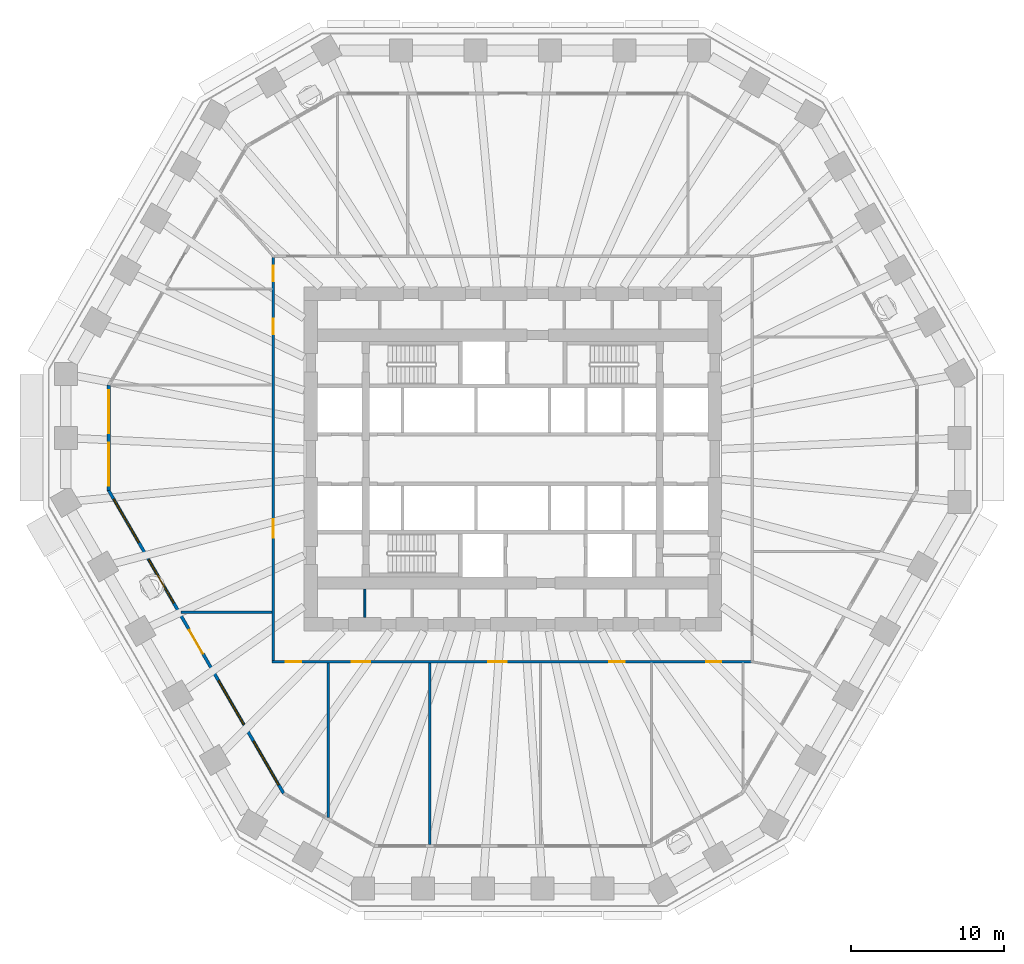
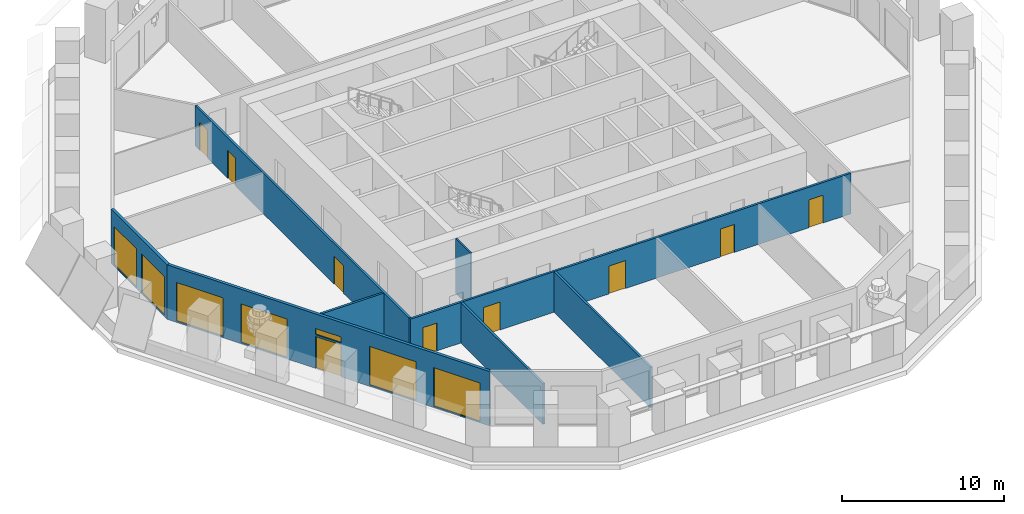
# One storey, part 3 of 12: 9 doors, 8 walls, 7 windows, 16 openings.
"""IFC4 building model written with IfcOpenShell, lengths in metres."""

from ifc_helpers import new_model, si_unit, direction, frame, frame_2d, origin, place, context, subcontext, project, spatial, polyline, rectangle, outline, extrude, material, layer, layer_set, type_object, element, fill, save


model = new_model("IFC4")

# Units and contexts
model_context = context("Model", 3, precision=1e-05, world=origin(), true_north=direction((0.0, 1.0)))
body_context = subcontext(model_context, "Body", "Model", "MODEL_VIEW")
ifc_project = project(units=[si_unit("LENGTHUNIT", "METRE"), si_unit("AREAUNIT", "SQUARE_METRE"), si_unit("VOLUMEUNIT", "CUBIC_METRE"), si_unit("PLANEANGLEUNIT", "RADIAN"), si_unit("MASSUNIT", "GRAM", prefix="KILO")], contexts=[model_context])

# Site, building, storey
site_placement = place(None, origin())
site = spatial("IfcSite", under=ifc_project, at=site_placement, CompositionType="ELEMENT")
building_placement = place(site_placement, origin())
building = spatial("IfcBuilding", under=site, at=building_placement, Name="Frailejon Research Tower", CompositionType="ELEMENT")
storey_placement = place(building_placement, frame((0.0, 0.0, 63.0)))
storey = spatial("IfcBuildingStorey", under=building, at=storey_placement, Name="L14", CompositionType="ELEMENT", Elevation=63.0)

# Wall
ifc_material_1 = material(Name="Plasterboard on steel studs", Category="steel")
ifc_layer_1 = layer(ifc_material_1, 0.125)
ifc_layer_set_1 = layer_set([ifc_layer_1], Name="Core partition 125")
wall_type_1 = type_object("IfcWallType", Name="Core partition 125", PredefinedType="PARTITIONING", material=ifc_layer_set_1)
wall_1_placement = place(storey_placement, frame((-9.66552734375, -10.35009765625, 0.0), z_axis=(0.0, 0.0, 1.0), x_axis=(0.0, 1.0, 0.0)))
element("IfcWall", 1, at=wall_1_placement, inside=storey, type_object=wall_type_1, Name="Core partition", PredefinedType="PARTITIONING", context=body_context, shape_type="SweptSolid", body=[
    extrude(rectangle(XDim=1.85009765625, YDim=0.125, at=frame_2d((0.925048828125, 0.0))), origin(), (0.0, 0.0, 1.0), 4.10009765625),
])

# Wall, openings, doors
ifc_material_2 = material(Name="Gypsum board and masonry partition", Category="masonry")
ifc_layer_2 = layer(ifc_material_2, 0.14990234375)
ifc_layer_set_2 = layer_set([ifc_layer_2], Name="Corridor wall EI 60, gypsum on steel studs 150")
wall_type_2 = type_object("IfcWallType", Name="Corridor wall EI 60, gypsum on steel studs 150", PredefinedType="PARTITIONING", material=ifc_layer_set_2)
wall_2_placement = place(storey_placement, frame((-15.64990234375, -13.175048828125, 0.0), z_axis=(0.0, 0.0, 1.0), x_axis=(0.0, 1.0, 0.0)))
wall_2 = element("IfcWall", 2, at=wall_2_placement, inside=storey, type_object=wall_type_2, Name="T:IW:L14:003", PredefinedType="PARTITIONING", context=body_context, shape_type="SweptSolid", body=[
    extrude(rectangle(XDim=26.35009765625, YDim=0.14990234375, at=frame_2d((13.175048828125, 0.0))), origin(), (0.0, 0.0, 1.0), 3.050048828125),
])
opening_1_placement = place(wall_2_placement, frame((24.797119140625, 0.0, 0.0)))
opening_1 = element("IfcOpeningElement", 3, at=opening_1_placement, cuts=wall_2, Name="Opening D1457", PredefinedType="OPENING", context=body_context, shape_type="SweptSolid", body=[
    extrude(rectangle(XDim=1.0, YDim=2.10009765625, at=frame_2d((0.5, 1.050048828125))), frame((0.0, 0.0849609375, 0.0), z_axis=(0.0, -1.0, 0.0), x_axis=(1.0, 0.0, 0.0)), (0.0, 0.0, 1.0), 0.169921875),
])
opening_2_placement = place(wall_2_placement, frame((21.345947265625, 0.0, 0.0)))
opening_2 = element("IfcOpeningElement", 4, at=opening_2_placement, cuts=wall_2, Name="Opening D1458", PredefinedType="OPENING", context=body_context, shape_type="SweptSolid", body=[
    extrude(rectangle(XDim=1.0, YDim=2.10009765625, at=frame_2d((0.5, 1.050048828125))), frame((0.0, 0.0849609375, 0.0), z_axis=(0.0, -1.0, 0.0), x_axis=(1.0, 0.0, 0.0)), (0.0, 0.0, 1.0), 0.169921875),
])
opening_3_placement = place(wall_2_placement, frame((8.0458984375, 0.0, 0.0)))
opening_3 = element("IfcOpeningElement", 5, at=opening_3_placement, cuts=wall_2, Name="Opening D1459", PredefinedType="OPENING", context=body_context, shape_type="SweptSolid", body=[
    extrude(rectangle(XDim=1.199951171875, YDim=2.10009765625, at=frame_2d((0.60009765625, 1.050048828125))), frame((0.0, 0.0849609375, 0.0), z_axis=(0.0, -1.0, 0.0), x_axis=(1.0, 0.0, 0.0)), (0.0, 0.0, 1.0), 0.169921875),
])
ifc_material_3 = material(Name="Timber door leaf", Category="wood")
door_type_1 = type_object("IfcDoorType", Name="Door laboratory, timber, vision panel 1200", OperationType="NOTDEFINED", PredefinedType="DOOR", material=ifc_material_3)
door_1_placement = place(opening_3_placement, origin())
door_1 = element("IfcDoor", 6, at=door_1_placement, inside=storey, type_object=door_type_1, Name="D1459", OperationType="DOUBLE_DOOR_SINGLE_SWING", OverallHeight=2.10009765625, OverallWidth=1.199951171875, PredefinedType="DOOR", context=body_context, shape_type="SweptSolid", body=[
    extrude(rectangle(XDim=1.199951171875, YDim=2.10009765625, at=frame_2d((0.60009765625, 1.050048828125))), frame((0.0, 0.02490234375, 0.0), z_axis=(0.0, -1.0, 0.0), x_axis=(1.0, 0.0, 0.0)), (0.0, 0.0, 1.0), 0.050048828125),
])
fill(opening_3, door_1)
ifc_material_4 = material(Name="Timber door leaf", Category="wood")
door_type_2 = type_object("IfcDoorType", Name="Door single leaf, timber, steel frame 1000", OperationType="NOTDEFINED", PredefinedType="DOOR", material=ifc_material_4)
door_2_placement = place(opening_1_placement, origin())
door_2 = element("IfcDoor", 7, at=door_2_placement, inside=storey, type_object=door_type_2, Name="D1457", OperationType="SINGLE_SWING_RIGHT", OverallHeight=2.10009765625, OverallWidth=1.0, PredefinedType="DOOR", context=body_context, shape_type="SweptSolid", body=[
    extrude(rectangle(XDim=1.0, YDim=2.10009765625, at=frame_2d((0.5, 1.050048828125))), frame((0.0, 0.02490234375, 0.0), z_axis=(0.0, -1.0, 0.0), x_axis=(1.0, 0.0, 0.0)), (0.0, 0.0, 1.0), 0.050048828125),
])
fill(opening_1, door_2)
door_3_placement = place(opening_2_placement, origin())
door_3 = element("IfcDoor", 8, at=door_3_placement, inside=storey, type_object=door_type_2, Name="D1458", OperationType="SINGLE_SWING_LEFT", OverallHeight=2.10009765625, OverallWidth=1.0, PredefinedType="DOOR", context=body_context, shape_type="SweptSolid", body=[
    extrude(rectangle(XDim=1.0, YDim=2.10009765625, at=frame_2d((0.5, 1.050048828125))), frame((0.0, 0.02490234375, 0.0), z_axis=(0.0, -1.0, 0.0), x_axis=(1.0, 0.0, 0.0)), (0.0, 0.0, 1.0), 0.050048828125),
])
fill(opening_2, door_3)

wall_3_placement = place(storey_placement, frame((-15.72509765625, -13.25, 0.0), z_axis=(0.0, 0.0, 1.0), x_axis=(1.0, 0.0, 0.0)))
wall_3 = element("IfcWall", 9, at=wall_3_placement, inside=storey, type_object=wall_type_2, Name="T:IW:L14:004", PredefinedType="PARTITIONING", context=body_context, shape_type="SweptSolid", body=[
    extrude(rectangle(XDim=31.3251953125, YDim=0.14990234375, at=frame_2d((15.66259765625, 0.0))), origin(), (0.0, 0.0, 1.0), 3.050048828125),
])
opening_4_placement = place(wall_3_placement, frame((0.89794921875, 0.0, 0.0)))
opening_4 = element("IfcOpeningElement", 10, at=opening_4_placement, cuts=wall_3, Name="Opening D1460", PredefinedType="OPENING", context=body_context, shape_type="SweptSolid", body=[
    extrude(rectangle(XDim=1.0, YDim=2.10009765625, at=frame_2d((0.5, 1.050048828125))), frame((0.0, 0.0849609375, 0.0), z_axis=(0.0, -1.0, 0.0), x_axis=(1.0, 0.0, 0.0)), (0.0, 0.0, 1.0), 0.169921875),
])
opening_5_placement = place(wall_3_placement, frame((5.19775390625, 0.0, 0.0)))
opening_5 = element("IfcOpeningElement", 11, at=opening_5_placement, cuts=wall_3, Name="Opening D1461", PredefinedType="OPENING", context=body_context, shape_type="SweptSolid", body=[
    extrude(rectangle(XDim=1.199951171875, YDim=2.10009765625, at=frame_2d((0.60009765625, 1.050048828125))), frame((0.0, 0.0849609375, 0.0), z_axis=(0.0, -1.0, 0.0), x_axis=(1.0, 0.0, 0.0)), (0.0, 0.0, 1.0), 0.169921875),
])
opening_6_placement = place(wall_3_placement, frame((14.115478515625, 0.0, 0.0)))
opening_6 = element("IfcOpeningElement", 12, at=opening_6_placement, cuts=wall_3, Name="Opening D1462", PredefinedType="OPENING", context=body_context, shape_type="SweptSolid", body=[
    extrude(rectangle(XDim=1.199951171875, YDim=2.10009765625, at=frame_2d((0.60009765625, 1.050048828125))), frame((0.0, 0.0849609375, 0.0), z_axis=(0.0, -1.0, 0.0), x_axis=(1.0, 0.0, 0.0)), (0.0, 0.0, 1.0), 0.169921875),
])
opening_7_placement = place(wall_3_placement, frame((22.04638671875, 0.0, 0.0)))
opening_7 = element("IfcOpeningElement", 13, at=opening_7_placement, cuts=wall_3, Name="Opening D1463", PredefinedType="OPENING", context=body_context, shape_type="SweptSolid", body=[
    extrude(rectangle(XDim=1.0, YDim=2.10009765625, at=frame_2d((0.5, 1.050048828125))), frame((0.0, 0.0849609375, 0.0), z_axis=(0.0, -1.0, 0.0), x_axis=(1.0, 0.0, 0.0)), (0.0, 0.0, 1.0), 0.169921875),
])
opening_8_placement = place(wall_3_placement, frame((28.358154296875, 0.0, 0.0)))
opening_8 = element("IfcOpeningElement", 14, at=opening_8_placement, cuts=wall_3, Name="Opening D1464", PredefinedType="OPENING", context=body_context, shape_type="SweptSolid", body=[
    extrude(rectangle(XDim=1.0, YDim=2.10009765625, at=frame_2d((0.5, 1.050048828125))), frame((0.0, 0.0849609375, 0.0), z_axis=(0.0, -1.0, 0.0), x_axis=(1.0, 0.0, 0.0)), (0.0, 0.0, 1.0), 0.169921875),
])
door_4_placement = place(opening_5_placement, origin())
door_4 = element("IfcDoor", 15, at=door_4_placement, inside=storey, type_object=door_type_1, Name="D1461", OperationType="DOUBLE_DOOR_SINGLE_SWING", OverallHeight=2.10009765625, OverallWidth=1.199951171875, PredefinedType="DOOR", context=body_context, shape_type="SweptSolid", body=[
    extrude(rectangle(XDim=1.199951171875, YDim=2.10009765625, at=frame_2d((0.60009765625, 1.050048828125))), frame((0.0, 0.02490234375, 0.0), z_axis=(0.0, -1.0, 0.0), x_axis=(1.0, 0.0, 0.0)), (0.0, 0.0, 1.0), 0.050048828125),
])
fill(opening_5, door_4)
door_5_placement = place(opening_6_placement, origin())
door_5 = element("IfcDoor", 16, at=door_5_placement, inside=storey, type_object=door_type_1, Name="D1462", OperationType="DOUBLE_DOOR_SINGLE_SWING", OverallHeight=2.10009765625, OverallWidth=1.199951171875, PredefinedType="DOOR", context=body_context, shape_type="SweptSolid", body=[
    extrude(rectangle(XDim=1.199951171875, YDim=2.10009765625, at=frame_2d((0.60009765625, 1.050048828125))), frame((0.0, 0.02490234375, 0.0), z_axis=(0.0, -1.0, 0.0), x_axis=(1.0, 0.0, 0.0)), (0.0, 0.0, 1.0), 0.050048828125),
])
fill(opening_6, door_5)
door_6_placement = place(opening_4_placement, origin())
door_6 = element("IfcDoor", 17, at=door_6_placement, inside=storey, type_object=door_type_2, Name="D1460", OperationType="SINGLE_SWING_RIGHT", OverallHeight=2.10009765625, OverallWidth=1.0, PredefinedType="DOOR", context=body_context, shape_type="SweptSolid", body=[
    extrude(rectangle(XDim=1.0, YDim=2.10009765625, at=frame_2d((0.5, 1.050048828125))), frame((0.0, 0.02490234375, 0.0), z_axis=(0.0, -1.0, 0.0), x_axis=(1.0, 0.0, 0.0)), (0.0, 0.0, 1.0), 0.050048828125),
])
fill(opening_4, door_6)
door_7_placement = place(opening_7_placement, origin())
door_7 = element("IfcDoor", 18, at=door_7_placement, inside=storey, type_object=door_type_2, Name="D1463", OperationType="SINGLE_SWING_LEFT", OverallHeight=2.10009765625, OverallWidth=1.0, PredefinedType="DOOR", context=body_context, shape_type="SweptSolid", body=[
    extrude(rectangle(XDim=1.0, YDim=2.10009765625, at=frame_2d((0.5, 1.050048828125))), frame((0.0, 0.02490234375, 0.0), z_axis=(0.0, -1.0, 0.0), x_axis=(1.0, 0.0, 0.0)), (0.0, 0.0, 1.0), 0.050048828125),
])
fill(opening_7, door_7)
door_8_placement = place(opening_8_placement, origin())
door_8 = element("IfcDoor", 19, at=door_8_placement, inside=storey, type_object=door_type_2, Name="D1464", OperationType="SINGLE_SWING_RIGHT", OverallHeight=2.10009765625, OverallWidth=1.0, PredefinedType="DOOR", context=body_context, shape_type="SweptSolid", body=[
    extrude(rectangle(XDim=1.0, YDim=2.10009765625, at=frame_2d((0.5, 1.050048828125))), frame((0.0, 0.02490234375, 0.0), z_axis=(0.0, -1.0, 0.0), x_axis=(1.0, 0.0, 0.0)), (0.0, 0.0, 1.0), 0.050048828125),
])
fill(opening_8, door_8)

# Walls
ifc_material_5 = material(Name="Gypsum board and masonry partition", Category="masonry")
ifc_layer_3 = layer(ifc_material_5, 0.14990234375)
ifc_layer_set_3 = layer_set([ifc_layer_3], Name="Laboratory partition, blockwork 150")
wall_type_3 = type_object("IfcWallType", Name="Laboratory partition, blockwork 150", PredefinedType="PARTITIONING", material=ifc_layer_set_3)
wall_4_placement = place(storey_placement, frame((-21.698974609375, -10.016357421875, 0.0), z_axis=(0.0, 0.0, 1.0), x_axis=(1.0, 0.0, 0.0)))
element("IfcWall", 20, at=wall_4_placement, inside=storey, type_object=wall_type_3, Name="T:IW:L14:012", PredefinedType="PARTITIONING", context=body_context, shape_type="SweptSolid", body=[
    extrude(rectangle(XDim=5.973876953125, YDim=0.14990234375, at=frame_2d((2.98681640625, 0.0))), origin(), (0.0, 0.0, 1.0), 3.050048828125),
])
wall_5_placement = place(storey_placement, frame((-12.05810546875, -23.419921875, 0.0), z_axis=(0.0, 0.0, 1.0), x_axis=(0.0, 1.0, 0.0)))
element("IfcWall", 21, at=wall_5_placement, inside=storey, type_object=wall_type_3, Name="T:IW:L14:013", PredefinedType="PARTITIONING", context=body_context, shape_type="SweptSolid", body=[
    extrude(rectangle(XDim=10.094970703125, YDim=0.14990234375, at=frame_2d((5.04736328125, 0.0))), origin(), (0.0, 0.0, 1.0), 3.050048828125),
])
wall_6_placement = place(storey_placement, frame((-5.434814453125, -25.182861328125, 0.0), z_axis=(0.0, 0.0, 1.0), x_axis=(0.0, 1.0, 0.0)))
element("IfcWall", 22, at=wall_6_placement, inside=storey, type_object=wall_type_3, Name="T:IW:L14:014", PredefinedType="PARTITIONING", context=body_context, shape_type="SweptSolid", body=[
    extrude(rectangle(XDim=11.85791015625, YDim=0.14990234375, at=frame_2d((5.928955078125, 0.0))), origin(), (0.0, 0.0, 1.0), 3.050048828125),
])

# Wall, openings, windows
ifc_material_6 = material(Name="Concrete C40/50 precast window wall panel", Category="concrete")
ifc_layer_4 = layer(ifc_material_6, 0.199951171875)
ifc_layer_set_4 = layer_set([ifc_layer_4], Name="Window wall 200")
wall_type_4 = type_object("IfcWallType", Name="Window wall 200", PredefinedType="SOLIDWALL", material=ifc_layer_set_4)
wall_7_placement = place(storey_placement, frame((-26.4111328125, 4.820068359375, 0.0), z_axis=(0.0, 0.0, 1.0), x_axis=(0.0, -1.0, 0.0)))
wall_7 = element("IfcWall", 23, at=wall_7_placement, inside=storey, type_object=wall_type_4, Name="Exterior wall L14", PredefinedType="SOLIDWALL", context=body_context, shape_type="SweptSolid", body=[
    extrude(outline(polyline([(-0.02685546875, -0.10009765625), (1.1279296875, -0.10009765625), (2.28271484375, -0.10009765625), (3.4375, -0.10009765625), (4.592041015625, -0.10009765625), (5.746826171875, -0.10009765625), (6.901611328125, -0.10009765625), (6.847900390625, 0.10009765625), (5.7109375, 0.10009765625), (4.57421875, 0.10009765625), (3.4375, 0.10009765625), (2.300537109375, 0.10009765625), (1.16357421875, 0.10009765625), (0.02685546875, 0.10009765625), (-0.02685546875, -0.10009765625)])), origin(), (0.0, 0.0, 1.0), 4.10009765625),
])
opening_9_placement = place(wall_7_placement, frame((0.318603515625, 0.0, 0.10009765625)))
opening_9 = element("IfcOpeningElement", 24, at=opening_9_placement, cuts=wall_7, Name="Opening W3", PredefinedType="OPENING", context=body_context, shape_type="SweptSolid", body=[
    extrude(rectangle(XDim=2.800048828125, YDim=2.89990234375, at=frame_2d((1.39990234375, 1.449951171875))), frame((0.0, 0.10986328125, 0.0), z_axis=(0.0, -1.0, 0.0), x_axis=(1.0, 0.0, 0.0)), (0.0, 0.0, 1.0), 0.219970703125),
])
opening_10_placement = place(wall_7_placement, frame((3.756103515625, 0.0, 0.10009765625)))
opening_10 = element("IfcOpeningElement", 25, at=opening_10_placement, cuts=wall_7, Name="Opening W3", PredefinedType="OPENING", context=body_context, shape_type="SweptSolid", body=[
    extrude(rectangle(XDim=2.800048828125, YDim=2.89990234375, at=frame_2d((1.39990234375, 1.449951171875))), frame((0.0, 0.10986328125, 0.0), z_axis=(0.0, -1.0, 0.0), x_axis=(1.0, 0.0, 0.0)), (0.0, 0.0, 1.0), 0.219970703125),
])
ifc_material_7 = material(Name="Aluminium framed double glazing", Category="aluminium")
window_type_1 = type_object("IfcWindowType", Name="Window 2800x2900", PartitioningType="SINGLE_PANEL", PredefinedType="WINDOW", material=ifc_material_7)
window_1_placement = place(opening_9_placement, origin())
window_1 = element("IfcWindow", 26, at=window_1_placement, inside=storey, type_object=window_type_1, Name="Window L14", OverallHeight=2.89990234375, OverallWidth=2.800048828125, PartitioningType="SINGLE_PANEL", PredefinedType="WINDOW", context=body_context, shape_type="SweptSolid", body=[
    extrude(rectangle(XDim=2.800048828125, YDim=2.89990234375, at=frame_2d((1.39990234375, 1.449951171875))), frame((0.0, 0.030029296875, 0.0), z_axis=(0.0, -1.0, 0.0), x_axis=(1.0, 0.0, 0.0)), (0.0, 0.0, 1.0), 0.06005859375),
])
fill(opening_9, window_1)
window_2_placement = place(opening_10_placement, origin())
window_2 = element("IfcWindow", 27, at=window_2_placement, inside=storey, type_object=window_type_1, Name="Window L14", OverallHeight=2.89990234375, OverallWidth=2.800048828125, PartitioningType="SINGLE_PANEL", PredefinedType="WINDOW", context=body_context, shape_type="SweptSolid", body=[
    extrude(rectangle(XDim=2.800048828125, YDim=2.89990234375, at=frame_2d((1.39990234375, 1.449951171875))), frame((0.0, 0.030029296875, 0.0), z_axis=(0.0, -1.0, 0.0), x_axis=(1.0, 0.0, 0.0)), (0.0, 0.0, 1.0), 0.06005859375),
])
fill(opening_10, window_2)

# Wall, openings, door, windows
wall_8_placement = place(storey_placement, frame((-26.4111328125, -2.0546875, 0.0), z_axis=(0.0, 0.0, 1.0), x_axis=(0.50000204422, -0.86602422355, 0.0)))
wall_8 = element("IfcWall", 28, at=wall_8_placement, inside=storey, type_object=wall_type_4, Name="Exterior wall L14", PredefinedType="SOLIDWALL", context=body_context, shape_type="SweptSolid", body=[
    extrude(outline(polyline([(-0.02685546875, -0.10009765625), (1.014404296875, -0.10009765625), (2.055419921875, -0.10009765625), (3.0966796875, -0.10009765625), (4.137939453125, -0.10009765625), (5.17919921875, -0.10009765625), (6.22021484375, -0.10009765625), (7.261474609375, -0.10009765625), (8.302734375, -0.10009765625), (9.343994140625, -0.10009765625), (10.385009765625, -0.10009765625), (11.42626953125, -0.10009765625), (12.467529296875, -0.10009765625), (13.508544921875, -0.10009765625), (14.5498046875, -0.10009765625), (15.591064453125, -0.10009765625), (16.63232421875, -0.10009765625), (17.67333984375, -0.10009765625), (18.714599609375, -0.10009765625), (19.755859375, -0.10009765625), (20.797119140625, -0.10009765625), (21.838134765625, -0.10009765625), (22.87939453125, -0.10009765625), (22.82568359375, 0.10009765625), (21.789306640625, 0.10009765625), (20.753173828125, 0.10009765625), (19.716796875, 0.10009765625), (18.680419921875, 0.10009765625), (17.64404296875, 0.10009765625), (16.60791015625, 0.10009765625), (15.571533203125, 0.10009765625), (14.53515625, 0.10009765625), (13.498779296875, 0.10009765625), (12.462646484375, 0.10009765625), (11.42626953125, 0.10009765625), (10.389892578125, 0.10009765625), (9.353759765625, 0.10009765625), (8.3173828125, 0.10009765625), (7.281005859375, 0.10009765625), (6.24462890625, 0.10009765625), (5.20849609375, 0.10009765625), (4.172119140625, 0.10009765625), (3.1357421875, 0.10009765625), (2.099365234375, 0.10009765625), (1.063232421875, 0.10009765625), (0.02685546875, 0.10009765625), (-0.02685546875, -0.10009765625)])), origin(), (0.0, 0.0, 1.0), 4.10009765625),
])
opening_11_placement = place(wall_8_placement, frame((0.63525390625, 0.0, 0.10009765625)))
opening_11 = element("IfcOpeningElement", 29, at=opening_11_placement, cuts=wall_8, Name="Opening W5", PredefinedType="OPENING", context=body_context, shape_type="SweptSolid", body=[
    extrude(rectangle(XDim=3.300048828125, YDim=2.89990234375, at=frame_2d((1.64990234375, 1.449951171875))), frame((0.0, 0.10986328125, 0.0), z_axis=(0.0, -1.0, 0.0), x_axis=(1.0, 0.0, 0.0)), (0.0, 0.0, 1.0), 0.219970703125),
])
opening_12_placement = place(wall_8_placement, frame((5.205810546875, 0.0, 0.10009765625)))
opening_12 = element("IfcOpeningElement", 30, at=opening_12_placement, cuts=wall_8, Name="Opening W5", PredefinedType="OPENING", context=body_context, shape_type="SweptSolid", body=[
    extrude(rectangle(XDim=3.300048828125, YDim=2.89990234375, at=frame_2d((1.64990234375, 1.449951171875))), frame((0.0, 0.10986328125, 0.0), z_axis=(0.0, -1.0, 0.0), x_axis=(1.0, 0.0, 0.0)), (0.0, 0.0, 1.0), 0.219970703125),
])
opening_13_placement = place(wall_8_placement, frame((10.5263671875, 0.0, 0.0)))
opening_13 = element("IfcOpeningElement", 31, at=opening_13_placement, cuts=wall_8, Name="Opening LG14-4", PredefinedType="OPENING", context=body_context, shape_type="SweptSolid", body=[
    extrude(rectangle(XDim=1.800048828125, YDim=2.39990234375, at=frame_2d((0.89990234375, 1.199951171875))), frame((0.0, 0.10986328125, 0.0), z_axis=(0.0, -1.0, 0.0), x_axis=(1.0, 0.0, 0.0)), (0.0, 0.0, 1.0), 0.219970703125),
])
opening_14_placement = place(wall_8_placement, frame((10.5263671875, 0.0, 2.550048828125)))
opening_14 = element("IfcOpeningElement", 32, at=opening_14_placement, cuts=wall_8, Name="Opening W1", PredefinedType="OPENING", context=body_context, shape_type="SweptSolid", body=[
    extrude(rectangle(XDim=1.800048828125, YDim=0.449951171875, at=frame_2d((0.89990234375, 0.22509765625))), frame((0.0, 0.10986328125, 0.0), z_axis=(0.0, -1.0, 0.0), x_axis=(1.0, 0.0, 0.0)), (0.0, 0.0, 1.0), 0.219970703125),
])
opening_15_placement = place(wall_8_placement, frame((14.3466796875, 0.0, 0.10009765625)))
opening_15 = element("IfcOpeningElement", 33, at=opening_15_placement, cuts=wall_8, Name="Opening W5", PredefinedType="OPENING", context=body_context, shape_type="SweptSolid", body=[
    extrude(rectangle(XDim=3.300048828125, YDim=2.89990234375, at=frame_2d((1.64990234375, 1.449951171875))), frame((0.0, 0.10986328125, 0.0), z_axis=(0.0, -1.0, 0.0), x_axis=(1.0, 0.0, 0.0)), (0.0, 0.0, 1.0), 0.219970703125),
])
opening_16_placement = place(wall_8_placement, frame((18.917236328125, 0.0, 0.10009765625)))
opening_16 = element("IfcOpeningElement", 34, at=opening_16_placement, cuts=wall_8, Name="Opening W5", PredefinedType="OPENING", context=body_context, shape_type="SweptSolid", body=[
    extrude(rectangle(XDim=3.300048828125, YDim=2.89990234375, at=frame_2d((1.64990234375, 1.449951171875))), frame((0.0, 0.10986328125, 0.0), z_axis=(0.0, -1.0, 0.0), x_axis=(1.0, 0.0, 0.0)), (0.0, 0.0, 1.0), 0.219970703125),
])
ifc_material_8 = material(Name="Aluminium framed glazed door leaf", Category="aluminium")
door_type_3 = type_object("IfcDoorType", Name="Loggia door 1800x2400", OperationType="DOUBLE_DOOR_SINGLE_SWING", PredefinedType="DOOR", material=ifc_material_8)
door_9_placement = place(opening_13_placement, origin())
door_9 = element("IfcDoor", 35, at=door_9_placement, inside=storey, type_object=door_type_3, Name="Door LG14-4", OperationType="DOUBLE_DOOR_SINGLE_SWING", OverallHeight=2.39990234375, OverallWidth=1.800048828125, PredefinedType="DOOR", context=body_context, shape_type="SweptSolid", body=[
    extrude(rectangle(XDim=1.800048828125, YDim=2.39990234375, at=frame_2d((0.89990234375, 1.199951171875))), frame((0.0, 0.02490234375, 0.0), z_axis=(0.0, -1.0, 0.0), x_axis=(1.0, 0.0, 0.0)), (0.0, 0.0, 1.0), 0.050048828125),
])
fill(opening_13, door_9)
ifc_material_9 = material(Name="Aluminium framed double glazing", Category="aluminium")
window_type_2 = type_object("IfcWindowType", Name="Window 1800x450", PartitioningType="SINGLE_PANEL", PredefinedType="WINDOW", material=ifc_material_9)
window_3_placement = place(opening_14_placement, origin())
window_3 = element("IfcWindow", 36, at=window_3_placement, inside=storey, type_object=window_type_2, Name="Window L14", OverallHeight=0.449951171875, OverallWidth=1.800048828125, PartitioningType="SINGLE_PANEL", PredefinedType="WINDOW", context=body_context, shape_type="SweptSolid", body=[
    extrude(rectangle(XDim=1.800048828125, YDim=0.449951171875, at=frame_2d((0.89990234375, 0.22509765625))), frame((0.0, 0.030029296875, 0.0), z_axis=(0.0, -1.0, 0.0), x_axis=(1.0, 0.0, 0.0)), (0.0, 0.0, 1.0), 0.06005859375),
])
fill(opening_14, window_3)
ifc_material_10 = material(Name="Aluminium framed double glazing", Category="aluminium")
window_type_3 = type_object("IfcWindowType", Name="Window 3300x2900", PartitioningType="SINGLE_PANEL", PredefinedType="WINDOW", material=ifc_material_10)
window_4_placement = place(opening_11_placement, origin())
window_4 = element("IfcWindow", 37, at=window_4_placement, inside=storey, type_object=window_type_3, Name="Window L14", OverallHeight=2.89990234375, OverallWidth=3.300048828125, PartitioningType="SINGLE_PANEL", PredefinedType="WINDOW", context=body_context, shape_type="SweptSolid", body=[
    extrude(rectangle(XDim=3.300048828125, YDim=2.89990234375, at=frame_2d((1.64990234375, 1.449951171875))), frame((0.0, 0.030029296875, 0.0), z_axis=(0.0, -1.0, 0.0), x_axis=(1.0, 0.0, 0.0)), (0.0, 0.0, 1.0), 0.06005859375),
])
fill(opening_11, window_4)
window_5_placement = place(opening_12_placement, origin())
window_5 = element("IfcWindow", 38, at=window_5_placement, inside=storey, type_object=window_type_3, Name="Window L14", OverallHeight=2.89990234375, OverallWidth=3.300048828125, PartitioningType="SINGLE_PANEL", PredefinedType="WINDOW", context=body_context, shape_type="SweptSolid", body=[
    extrude(rectangle(XDim=3.300048828125, YDim=2.89990234375, at=frame_2d((1.64990234375, 1.449951171875))), frame((0.0, 0.030029296875, 0.0), z_axis=(0.0, -1.0, 0.0), x_axis=(1.0, 0.0, 0.0)), (0.0, 0.0, 1.0), 0.06005859375),
])
fill(opening_12, window_5)
window_6_placement = place(opening_15_placement, origin())
window_6 = element("IfcWindow", 39, at=window_6_placement, inside=storey, type_object=window_type_3, Name="Window L14", OverallHeight=2.89990234375, OverallWidth=3.300048828125, PartitioningType="SINGLE_PANEL", PredefinedType="WINDOW", context=body_context, shape_type="SweptSolid", body=[
    extrude(rectangle(XDim=3.300048828125, YDim=2.89990234375, at=frame_2d((1.64990234375, 1.449951171875))), frame((0.0, 0.030029296875, 0.0), z_axis=(0.0, -1.0, 0.0), x_axis=(1.0, 0.0, 0.0)), (0.0, 0.0, 1.0), 0.06005859375),
])
fill(opening_15, window_6)
window_7_placement = place(opening_16_placement, origin())
window_7 = element("IfcWindow", 40, at=window_7_placement, inside=storey, type_object=window_type_3, Name="Window L14", OverallHeight=2.89990234375, OverallWidth=3.300048828125, PartitioningType="SINGLE_PANEL", PredefinedType="WINDOW", context=body_context, shape_type="SweptSolid", body=[
    extrude(rectangle(XDim=3.300048828125, YDim=2.89990234375, at=frame_2d((1.64990234375, 1.449951171875))), frame((0.0, 0.030029296875, 0.0), z_axis=(0.0, -1.0, 0.0), x_axis=(1.0, 0.0, 0.0)), (0.0, 0.0, 1.0), 0.06005859375),
])
fill(opening_16, window_7)

save(model, "model.ifc")
